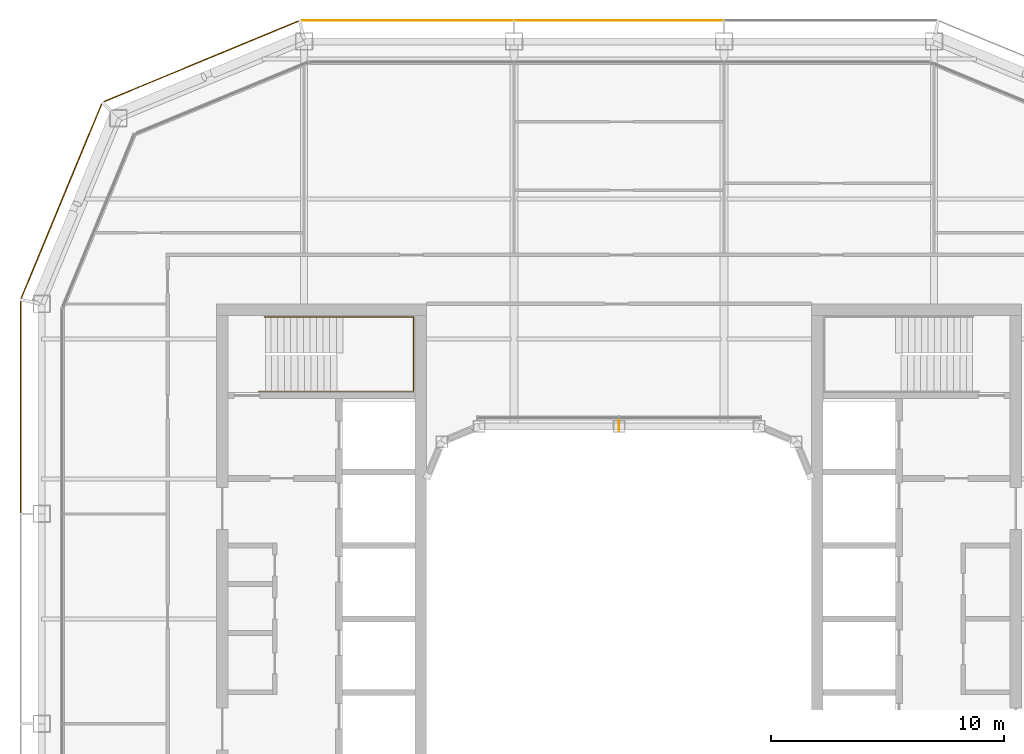
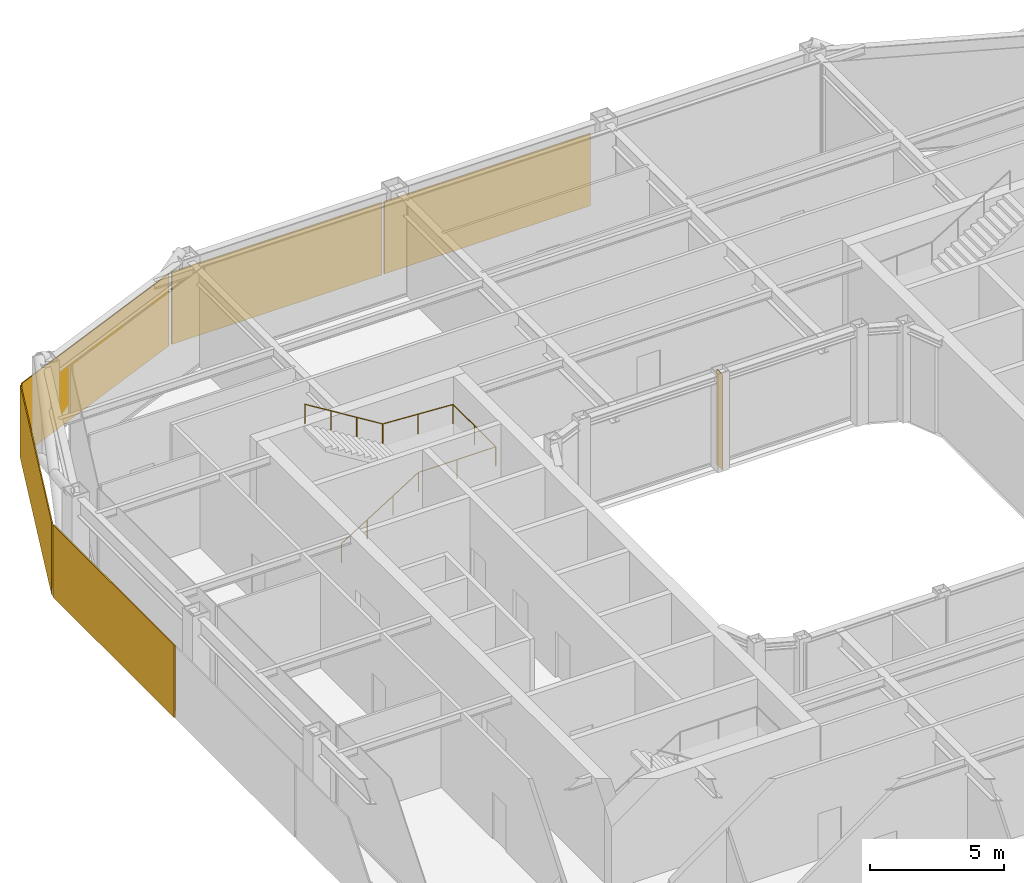
# One storey, part 19 of 21: 5 coverings, 1 railing, 1 shading device.
"""IFC4 building model written with IfcOpenShell, lengths in metres."""

from ifc_helpers import new_model, si_unit, direction, frame, origin, origin_2d, place, context, subcontext, project, spatial, rectangle, circle, extrude, material, layer, layer_set, type_object, element, save


model = new_model("IFC4")

# Units and contexts
model_context = context("Model", 3, precision=1e-05, world=origin(), true_north=direction((0.0, 1.0)))
body_context = subcontext(model_context, "Body", "Model", "MODEL_VIEW")
ifc_project = project(units=[si_unit("LENGTHUNIT", "METRE"), si_unit("AREAUNIT", "SQUARE_METRE"), si_unit("VOLUMEUNIT", "CUBIC_METRE"), si_unit("PLANEANGLEUNIT", "RADIAN"), si_unit("MASSUNIT", "GRAM", prefix="KILO")], contexts=[model_context])

# Site, building, storey
site_placement = place(None, origin())
site = spatial("IfcSite", under=ifc_project, at=site_placement, CompositionType="ELEMENT")
building_placement = place(site_placement, origin())
building = spatial("IfcBuilding", under=site, at=building_placement, Name="Siwar Civic Tower", CompositionType="ELEMENT")
storey_placement = place(building_placement, frame((0.0, 0.0, 303.199951171875)))
storey = spatial("IfcBuildingStorey", under=building, at=storey_placement, Name="L65", CompositionType="ELEMENT", Elevation=303.199951171875)

# Railing
ifc_material_1 = material(Name="Stainless steel", Category="steel")
railing_type = type_object("IfcRailingType", Name="CORE-STAIR-HANDRAIL", PredefinedType="HANDRAIL", material=ifc_material_1)
railing_placement = place(storey_placement, frame((-15.449951171875, 9.758056640625, 0.173095703125)))
element("IfcRailing", 1, at=railing_placement, inside=storey, type_object=railing_type, Name="Stair handrail ST1", PredefinedType="HANDRAIL", context=body_context, shape_type="SweptSolid", body=[
    extrude(circle(Radius=0.02001953125, at=origin_2d()), frame((0.0, 0.0, 0.8798828125), z_axis=(0.847063342986, 0.0, 0.531491950051), x_axis=(0.0, 1.0, 0.0)), (0.0, 0.0, 1.0), 3.90771484375),
    extrude(circle(Radius=0.02001953125, at=origin_2d()), frame((3.31005859375, 0.0, 2.956787109375), z_axis=(1.0, 0.0, 0.0), x_axis=(0.0, 1.0, 0.0)), (0.0, 0.0, 1.0), 3.331787109375),
    extrude(circle(Radius=0.02001953125, at=origin_2d()), frame((6.641845703125, 0.0, 2.956787109375), z_axis=(0.0, 1.0, 0.0), x_axis=(-1.0, 0.0, 0.0)), (0.0, 0.0, 1.0), 3.183837890625),
    extrude(circle(Radius=0.02001953125, at=origin_2d()), frame((6.641845703125, 3.183837890625, 2.956787109375), z_axis=(-0.99837434197, 0.0, 0.056997134106), x_axis=(0.0, -1.0, 0.0)), (0.0, 0.0, 1.0), 3.036865234375),
    extrude(circle(Radius=0.02001953125, at=origin_2d()), frame((3.60986328125, 3.183837890625, 3.1298828125), z_axis=(-0.850606129759, 0.0, 0.525803396734), x_axis=(0.0, -1.0, 0.0)), (0.0, 0.0, 1.0), 3.949951171875),
    extrude(circle(Radius=0.02001953125, at=origin_2d()), origin(), (0.0, 0.0, 1.0), 0.85986328125),
    extrude(circle(Radius=0.02001953125, at=origin_2d()), frame((1.103271484375, 0.0, 0.6923828125)), (0.0, 0.0, 1.0), 0.85986328125),
    extrude(circle(Radius=0.02001953125, at=origin_2d()), frame((2.206787109375, 0.0, 1.384521484375)), (0.0, 0.0, 1.0), 0.85986328125),
    extrude(circle(Radius=0.02001953125, at=origin_2d()), frame((3.31005859375, 0.0, 2.076904296875)), (0.0, 0.0, 1.0), 0.85986328125),
    extrude(circle(Radius=0.02001953125, at=origin_2d()), frame((4.97607421875, 0.0, 2.076904296875)), (0.0, 0.0, 1.0), 0.85986328125),
    extrude(circle(Radius=0.02001953125, at=origin_2d()), frame((6.641845703125, 0.0, 2.076904296875)), (0.0, 0.0, 1.0), 0.85986328125),
    extrude(circle(Radius=0.02001953125, at=origin_2d()), frame((6.641845703125, 1.591796875, 2.076904296875)), (0.0, 0.0, 1.0), 0.85986328125),
    extrude(circle(Radius=0.02001953125, at=origin_2d()), frame((6.641845703125, 3.183837890625, 2.076904296875)), (0.0, 0.0, 1.0), 0.85986328125),
    extrude(circle(Radius=0.02001953125, at=origin_2d()), frame((5.1259765625, 3.183837890625, 2.16357421875)), (0.0, 0.0, 1.0), 0.85986328125),
    extrude(circle(Radius=0.02001953125, at=origin_2d()), frame((3.60986328125, 3.183837890625, 2.25)), (0.0, 0.0, 1.0), 0.85986328125),
    extrude(circle(Radius=0.02001953125, at=origin_2d()), frame((2.489990234375, 3.183837890625, 2.9423828125)), (0.0, 0.0, 1.0), 0.85986328125),
    extrude(circle(Radius=0.02001953125, at=origin_2d()), frame((1.369873046875, 3.183837890625, 3.634521484375)), (0.0, 0.0, 1.0), 0.85986328125),
    extrude(circle(Radius=0.02001953125, at=origin_2d()), frame((0.25, 3.183837890625, 4.326904296875)), (0.0, 0.0, 1.0), 0.85986328125),
])

# Shading device
ifc_material_2 = material(Name="Aluminium 6063-T6", Category="aluminium")
ifc_layer_1 = layer(ifc_material_2, 0.02001953125)
ifc_layer_set_1 = layer_set([ifc_layer_1], Name="Aluminium 6063-T6")
shading_device_type = type_object("IfcShadingDeviceType", Name="ENV-FIN", PredefinedType="JALOUSIE", material=ifc_layer_set_1)
shading_device_placement = place(storey_placement, frame((0.0, 8.294921875, 0.0), z_axis=(0.0, 0.0, 1.0), x_axis=(-1.0, 0.0, 0.0)))
element("IfcShadingDevice", 2, at=shading_device_placement, inside=storey, type_object=shading_device_type, Name="SUNSHADE fin WN 1", PredefinedType="JALOUSIE", context=body_context, shape_type="SweptSolid", body=[
    extrude(rectangle(XDim=0.02001953125, YDim=0.449951171875, at=origin_2d()), origin(), (0.0, 0.0, 1.0), 4.35009765625),
])

# Coverings
ifc_material_3 = material(Name="Perforated aluminium cassette, pale metal", Category="aluminium")
ifc_layer_2 = layer(ifc_material_3, 0.0400390625)
ifc_layer_set_2 = layer_set([ifc_layer_2], Name="Perforated aluminium cassette, pale metal")
covering_type_1 = type_object("IfcCoveringType", Name="ENV-OUTER SKIN OS-1", PredefinedType="CLADDING", material=ifc_layer_set_2)
covering_1_placement = place(storey_placement, frame((0.0, 25.64990234375, -0.14990234375), z_axis=(0.0, 0.0, 1.0), x_axis=(-1.0, 0.0, 0.0)))
element("IfcCovering", 3, at=covering_1_placement, inside=storey, type_object=covering_type_1, Name="OUTER SKIN OS-1 N 2", PredefinedType="CLADDING", context=body_context, shape_type="SweptSolid", body=[
    extrude(rectangle(XDim=8.89990234375, YDim=0.0400390625, at=origin_2d()), origin(), (0.0, 0.0, 1.0), 3.300048828125),
])
covering_2_placement = place(storey_placement, frame((-9.07958984375, 25.64990234375, -0.14990234375), z_axis=(0.0, 0.0, 1.0), x_axis=(-1.0, 0.0, 0.0)))
element("IfcCovering", 4, at=covering_2_placement, inside=storey, type_object=covering_type_1, Name="OUTER SKIN OS-1 N 3", PredefinedType="CLADDING", context=body_context, shape_type="SweptSolid", body=[
    extrude(rectangle(XDim=9.05908203125, YDim=0.0400390625, at=origin_2d()), origin(), (0.0, 0.0, 1.0), 3.300048828125),
])
covering_3_placement = place(storey_placement, frame((-17.911376953125, 23.89697265625, -0.14990234375), z_axis=(0.0, 0.0, 1.0), x_axis=(-0.923879532511, -0.382683432365, 0.0)))
element("IfcCovering", 5, at=covering_3_placement, inside=storey, type_object=covering_type_1, Name="OUTER SKIN OS-1 NW1 1", PredefinedType="CLADDING", context=body_context, shape_type="SweptSolid", body=[
    extrude(rectangle(XDim=9.022216796875, YDim=0.0400390625, at=origin_2d()), origin(), (0.0, 0.0, 1.0), 3.300048828125),
])
ifc_material_4 = material(Name="Perforated aluminium cassette, pale metal", Category="aluminium")
ifc_layer_3 = layer(ifc_material_4, 0.044921875)
ifc_layer_set_3 = layer_set([ifc_layer_3], Name="Perforated aluminium cassette, pale metal")
covering_type_2 = type_object("IfcCoveringType", Name="ENV-OUTER SKIN OS-2", PredefinedType="CLADDING", material=ifc_layer_set_3)
covering_4_placement = place(storey_placement, frame((-23.89697265625, 17.911376953125, -0.14990234375), z_axis=(0.0, 0.0, 1.0), x_axis=(-0.382683432365, -0.923879532511, 0.0)))
element("IfcCovering", 6, at=covering_4_placement, inside=storey, type_object=covering_type_2, Name="OUTER SKIN OS-2 NW2 1", PredefinedType="CLADDING", context=body_context, shape_type="SweptSolid", body=[
    extrude(rectangle(XDim=9.022216796875, YDim=0.044921875, at=origin_2d()), origin(), (0.0, 0.0, 1.0), 3.300048828125),
])
ifc_material_5 = material(Name="Perforated aluminium cassette, pale metal", Category="aluminium")
ifc_layer_4 = layer(ifc_material_5, 0.050048828125)
ifc_layer_set_4 = layer_set([ifc_layer_4], Name="Perforated aluminium cassette, pale metal")
covering_type_3 = type_object("IfcCoveringType", Name="ENV-OUTER SKIN OS-3", PredefinedType="CLADDING", material=ifc_layer_set_4)
covering_5_placement = place(storey_placement, frame((-25.64990234375, 9.07958984375, -0.14990234375), z_axis=(0.0, 0.0, 1.0), x_axis=(0.0, -1.0, 0.0)))
element("IfcCovering", 7, at=covering_5_placement, inside=storey, type_object=covering_type_3, Name="OUTER SKIN OS-3 W 1", PredefinedType="CLADDING", context=body_context, shape_type="SweptSolid", body=[
    extrude(rectangle(XDim=9.05908203125, YDim=0.050048828125, at=origin_2d()), origin(), (0.0, 0.0, 1.0), 3.300048828125),
])

save(model, "model.ifc")
